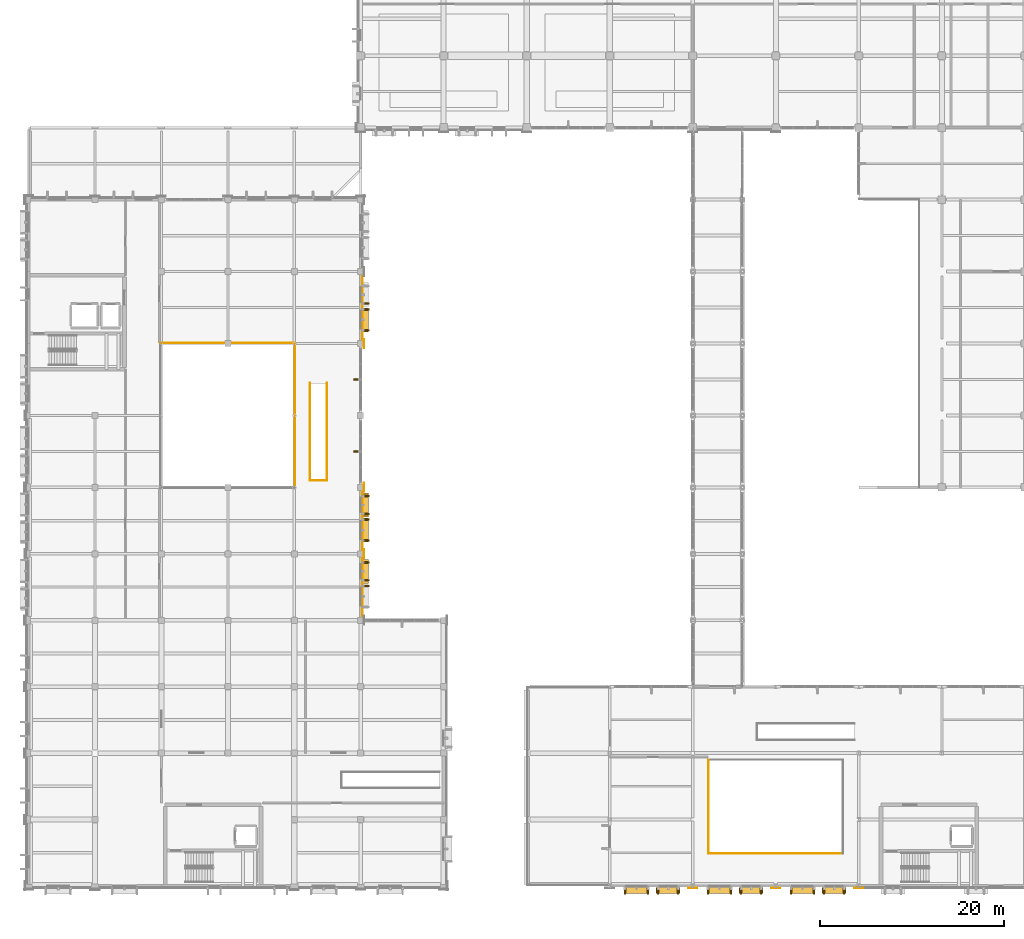
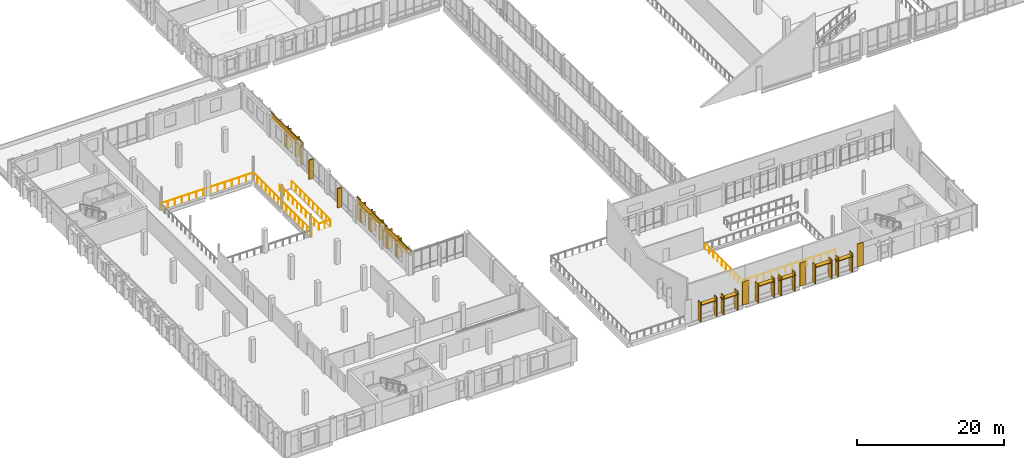
# One storey, part 74 of 85: 34 shading devices, 9 coverings, 7 railings.
"""IFC4 building model written with IfcOpenShell, lengths in metres."""

from ifc_helpers import new_model, si_unit, direction, frame, origin, origin_2d, place, context, subcontext, project, spatial, rectangle, circle, extrude, material, layer, layer_set, type_object, element, save


model = new_model("IFC4")

# Units and contexts
model_context = context("Model", 3, precision=1e-05, world=origin(), true_north=direction((0.0, 1.0)))
body_context = subcontext(model_context, "Body", "Model", "MODEL_VIEW")
ifc_project = project(units=[si_unit("LENGTHUNIT", "METRE"), si_unit("AREAUNIT", "SQUARE_METRE"), si_unit("VOLUMEUNIT", "CUBIC_METRE"), si_unit("PLANEANGLEUNIT", "RADIAN"), si_unit("MASSUNIT", "GRAM", prefix="KILO")], contexts=[model_context])

# Site, building, storey
site_placement = place(None, origin())
site = spatial("IfcSite", under=ifc_project, at=site_placement, CompositionType="ELEMENT")
building_placement = place(site_placement, origin())
building = spatial("IfcBuilding", under=site, at=building_placement, Name="Vervanel Yard Central Library", CompositionType="ELEMENT")
storey_placement = place(building_placement, frame((0.0, 0.0, 5.10009765625)))
storey = spatial("IfcBuildingStorey", under=building, at=storey_placement, Name="L01", CompositionType="ELEMENT", Elevation=5.10009765625)

# Coverings
ifc_material_1 = material(Name="Precast concrete C45/55", Category="concrete")
ifc_layer = layer(ifc_material_1, 0.0849609375, Category="concrete")
ifc_layer_set = layer_set([ifc_layer], Name="Precast concrete C45/55")
covering_type = type_object("IfcCoveringType", Name="Bush-Hammered Precast Architectural Cladding Panel", PredefinedType="CLADDING", material=ifc_layer_set)
covering_1_placement = place(storey_placement, frame((36.18994140625, 32.39990234375, 2.93017578125), z_axis=(0.0, 0.0, 1.0), x_axis=(0.0, 1.0, 0.0)))
element("IfcCovering", 1, at=covering_1_placement, inside=storey, type_object=covering_type, Name="L01 Precast Concrete Spandrel Cornice EWALL-L01-0104", PredefinedType="CLADDING", context=body_context, shape_type="SweptSolid", body=[
    extrude(rectangle(XDim=7.64990234375, YDim=0.0849609375, at=origin_2d()), origin(), (0.0, 0.0, 1.0), 0.929931640625),
])
covering_2_placement = place(storey_placement, frame((36.367431640625, 36.0, 0.0), z_axis=(0.0, 0.0, 1.0), x_axis=(0.0, 1.0, 0.0)))
element("IfcCovering", 2, at=covering_2_placement, inside=storey, type_object=covering_type, Name="L01 Precast Concrete Pier Pilaster EWALL-L01-0104-B", PredefinedType="CLADDING", context=body_context, shape_type="SweptSolid", body=[
    extrude(rectangle(XDim=0.97998046875, YDim=0.0849609375, at=origin_2d()), origin(), (0.0, 0.0, 1.0), 3.860107421875),
])
covering_3_placement = place(storey_placement, frame((36.18994140625, 39.60009765625, 2.93017578125), z_axis=(0.0, 0.0, 1.0), x_axis=(0.0, 1.0, 0.0)))
element("IfcCovering", 3, at=covering_3_placement, inside=storey, type_object=covering_type, Name="L01 Precast Concrete Spandrel Cornice EWALL-L01-0105", PredefinedType="CLADDING", context=body_context, shape_type="SweptSolid", body=[
    extrude(rectangle(XDim=7.64990234375, YDim=0.0849609375, at=origin_2d()), origin(), (0.0, 0.0, 1.0), 0.929931640625),
])
covering_4_placement = place(storey_placement, frame((36.367431640625, 43.199951171875, 0.0), z_axis=(0.0, 0.0, 1.0), x_axis=(0.0, 1.0, 0.0)))
element("IfcCovering", 4, at=covering_4_placement, inside=storey, type_object=covering_type, Name="L01 Precast Concrete Pier Pilaster EWALL-L01-0105-B", PredefinedType="CLADDING", context=body_context, shape_type="SweptSolid", body=[
    extrude(rectangle(XDim=0.97998046875, YDim=0.0849609375, at=origin_2d()), origin(), (0.0, 0.0, 1.0), 3.860107421875),
])
covering_5_placement = place(storey_placement, frame((36.18994140625, 62.699951171875, 2.93017578125), z_axis=(0.0, 0.0, 1.0), x_axis=(0.0, 1.0, 0.0)))
element("IfcCovering", 5, at=covering_5_placement, inside=storey, type_object=covering_type, Name="L01 Precast Concrete Spandrel Cornice EWALL-L01-0106", PredefinedType="CLADDING", context=body_context, shape_type="SweptSolid", body=[
    extrude(rectangle(XDim=8.25, YDim=0.0849609375, at=origin_2d()), origin(), (0.0, 0.0, 1.0), 0.929931640625),
])
for number, where, z_axis, x_axis, name in (
    (6, (36.367431640625, 58.800048828125, 0.0), (0.0, 0.0, 1.0), (0.0, 1.0, 0.0), "L01 Precast Concrete Pier Pilaster EWALL-L01-0106-A"),
    (7, (72.0, -0.226806640625, 0.0), (0.0, 0.0, 1.0), (1.0, 0.0, 0.0), "L01 Precast Concrete Pier Pilaster EWALL-L01-0200-B"),
    (8, (81.0, -0.226806640625, 0.0), (0.0, 0.0, 1.0), (1.0, 0.0, 0.0), "L01 Precast Concrete Pier Pilaster EWALL-L01-0201-B"),
    (9, (90.0, -0.226806640625, 0.0), (0.0, 0.0, 1.0), (1.0, 0.0, 0.0), "L01 Precast Concrete Pier Pilaster EWALL-L01-0202-B"),
):
    element("IfcCovering", number, at=place(storey_placement, frame(where, z_axis=z_axis, x_axis=x_axis)), inside=storey, type_object=covering_type, Name=name, PredefinedType="CLADDING", context=body_context, shape_type="SweptSolid", body=[
        extrude(rectangle(XDim=0.97998046875, YDim=0.0849609375, at=origin_2d()), origin(), (0.0, 0.0, 1.0), 3.860107421875),
    ])

# Railings
ifc_material_2 = material(Name="Brushed stainless steel AISI 316", Category="steel")
railing_type = type_object("IfcRailingType", Name="Glazed Atrium & Gallery Balustrade 1120", PredefinedType="BALUSTRADE", material=ifc_material_2)
railing_1_placement = place(storey_placement, frame((30.530029296875, 43.93994140625, 0.0)))
element("IfcRailing", 10, at=railing_1_placement, inside=storey, type_object=railing_type, Name="L01 Void Guard FST-05-L00-WELLGD S", PredefinedType="BALUSTRADE", context=body_context, shape_type="SweptSolid", body=[
    extrude(circle(Radius=0.02392578125, at=origin_2d()), frame((0.0, 0.0, 1.09619140625), z_axis=(1.0, 0.0, 0.0), x_axis=(0.0, 1.0, 0.0)), (0.0, 0.0, 1.0), 1.840087890625),
    extrude(circle(Radius=0.02099609375, at=origin_2d()), origin(), (0.0, 0.0, 1.0), 1.072021484375),
    extrude(circle(Radius=0.02099609375, at=origin_2d()), frame((0.919921875, 0.0, 0.0)), (0.0, 0.0, 1.0), 1.072021484375),
    extrude(circle(Radius=0.02099609375, at=origin_2d()), frame((1.840087890625, 0.0, 0.0)), (0.0, 0.0, 1.0), 1.072021484375),
])
railing_2_placement = place(storey_placement, frame((32.3701171875, 43.93994140625, 0.0)))
element("IfcRailing", 11, at=railing_2_placement, inside=storey, type_object=railing_type, Name="L01 Void Guard FST-05-L00-WELLGD E", PredefinedType="BALUSTRADE", context=body_context, shape_type="SweptSolid", body=[
    extrude(circle(Radius=0.02392578125, at=origin_2d()), frame((0.0, 0.0, 1.09619140625), z_axis=(0.0, 1.0, 0.0), x_axis=(-1.0, 0.0, 0.0)), (0.0, 0.0, 1.0), 10.5849609375),
    extrude(circle(Radius=0.02099609375, at=origin_2d()), origin(), (0.0, 0.0, 1.0), 1.072021484375),
    extrude(circle(Radius=0.02099609375, at=origin_2d()), frame((0.0, 1.176025390625, 0.0)), (0.0, 0.0, 1.0), 1.072021484375),
    extrude(circle(Radius=0.02099609375, at=origin_2d()), frame((0.0, 2.352294921875, 0.0)), (0.0, 0.0, 1.0), 1.072021484375),
    extrude(circle(Radius=0.02099609375, at=origin_2d()), frame((0.0, 3.5283203125, 0.0)), (0.0, 0.0, 1.0), 1.072021484375),
    extrude(circle(Radius=0.02099609375, at=origin_2d()), frame((0.0, 4.704345703125, 0.0)), (0.0, 0.0, 1.0), 1.072021484375),
    extrude(circle(Radius=0.02099609375, at=origin_2d()), frame((0.0, 5.880615234375, 0.0)), (0.0, 0.0, 1.0), 1.072021484375),
    extrude(circle(Radius=0.02099609375, at=origin_2d()), frame((0.0, 7.056640625, 0.0)), (0.0, 0.0, 1.0), 1.072021484375),
    extrude(circle(Radius=0.02099609375, at=origin_2d()), frame((0.0, 8.232666015625, 0.0)), (0.0, 0.0, 1.0), 1.072021484375),
    extrude(circle(Radius=0.02099609375, at=origin_2d()), frame((0.0, 9.408935546875, 0.0)), (0.0, 0.0, 1.0), 1.072021484375),
    extrude(circle(Radius=0.02099609375, at=origin_2d()), frame((0.0, 10.5849609375, 0.0)), (0.0, 0.0, 1.0), 1.072021484375),
])
railing_3_placement = place(storey_placement, frame((30.530029296875, 54.52490234375, 0.0)))
element("IfcRailing", 12, at=railing_3_placement, inside=storey, type_object=railing_type, Name="L01 Void Guard FST-05-L00-WELLGD W", PredefinedType="BALUSTRADE", context=body_context, shape_type="SweptSolid", body=[
    extrude(circle(Radius=0.02392578125, at=origin_2d()), frame((0.0, 0.0, 1.09619140625), z_axis=(0.0, -1.0, 0.0), x_axis=(1.0, 0.0, 0.0)), (0.0, 0.0, 1.0), 10.5849609375),
    extrude(circle(Radius=0.02099609375, at=origin_2d()), origin(), (0.0, 0.0, 1.0), 1.072021484375),
    extrude(circle(Radius=0.02099609375, at=origin_2d()), frame((0.0, -1.176025390625, 0.0)), (0.0, 0.0, 1.0), 1.072021484375),
    extrude(circle(Radius=0.02099609375, at=origin_2d()), frame((0.0, -2.352294921875, 0.0)), (0.0, 0.0, 1.0), 1.072021484375),
    extrude(circle(Radius=0.02099609375, at=origin_2d()), frame((0.0, -3.5283203125, 0.0)), (0.0, 0.0, 1.0), 1.072021484375),
    extrude(circle(Radius=0.02099609375, at=origin_2d()), frame((0.0, -4.704345703125, 0.0)), (0.0, 0.0, 1.0), 1.072021484375),
    extrude(circle(Radius=0.02099609375, at=origin_2d()), frame((0.0, -5.880615234375, 0.0)), (0.0, 0.0, 1.0), 1.072021484375),
    extrude(circle(Radius=0.02099609375, at=origin_2d()), frame((0.0, -7.056640625, 0.0)), (0.0, 0.0, 1.0), 1.072021484375),
    extrude(circle(Radius=0.02099609375, at=origin_2d()), frame((0.0, -8.232666015625, 0.0)), (0.0, 0.0, 1.0), 1.072021484375),
    extrude(circle(Radius=0.02099609375, at=origin_2d()), frame((0.0, -9.408935546875, 0.0)), (0.0, 0.0, 1.0), 1.072021484375),
    extrude(circle(Radius=0.02099609375, at=origin_2d()), frame((0.0, -10.5849609375, 0.0)), (0.0, 0.0, 1.0), 1.072021484375),
])
railing_4_placement = place(storey_placement, frame((28.8798828125, 43.1201171875, 0.0)))
element("IfcRailing", 13, at=railing_4_placement, inside=storey, type_object=railing_type, Name="L01 Void Guard ATRIUM-GD-L01 E", PredefinedType="BALUSTRADE", context=body_context, shape_type="SweptSolid", body=[
    extrude(circle(Radius=0.02392578125, at=origin_2d()), frame((0.0, 0.0, 1.09619140625), z_axis=(0.0, 1.0, 0.0), x_axis=(-1.0, 0.0, 0.0)), (0.0, 0.0, 1.0), 15.759765625),
    extrude(circle(Radius=0.02099609375, at=origin_2d()), origin(), (0.0, 0.0, 1.0), 1.072021484375),
    extrude(circle(Radius=0.02099609375, at=origin_2d()), frame((0.0, 1.125732421875, 0.0)), (0.0, 0.0, 1.0), 1.072021484375),
    extrude(circle(Radius=0.02099609375, at=origin_2d()), frame((0.0, 2.25146484375, 0.0)), (0.0, 0.0, 1.0), 1.072021484375),
    extrude(circle(Radius=0.02099609375, at=origin_2d()), frame((0.0, 3.377197265625, 0.0)), (0.0, 0.0, 1.0), 1.072021484375),
    extrude(circle(Radius=0.02099609375, at=origin_2d()), frame((0.0, 4.502685546875, 0.0)), (0.0, 0.0, 1.0), 1.072021484375),
    extrude(circle(Radius=0.02099609375, at=origin_2d()), frame((0.0, 5.62841796875, 0.0)), (0.0, 0.0, 1.0), 1.072021484375),
    extrude(circle(Radius=0.02099609375, at=origin_2d()), frame((0.0, 6.754150390625, 0.0)), (0.0, 0.0, 1.0), 1.072021484375),
    extrude(circle(Radius=0.02099609375, at=origin_2d()), frame((0.0, 7.8798828125, 0.0)), (0.0, 0.0, 1.0), 1.072021484375),
    extrude(circle(Radius=0.02099609375, at=origin_2d()), frame((0.0, 9.005615234375, 0.0)), (0.0, 0.0, 1.0), 1.072021484375),
    extrude(circle(Radius=0.02099609375, at=origin_2d()), frame((0.0, 10.13134765625, 0.0)), (0.0, 0.0, 1.0), 1.072021484375),
    extrude(circle(Radius=0.02099609375, at=origin_2d()), frame((0.0, 11.257080078125, 0.0)), (0.0, 0.0, 1.0), 1.072021484375),
    extrude(circle(Radius=0.02099609375, at=origin_2d()), frame((0.0, 12.382568359375, 0.0)), (0.0, 0.0, 1.0), 1.072021484375),
    extrude(circle(Radius=0.02099609375, at=origin_2d()), frame((0.0, 13.50830078125, 0.0)), (0.0, 0.0, 1.0), 1.072021484375),
    extrude(circle(Radius=0.02099609375, at=origin_2d()), frame((0.0, 14.634033203125, 0.0)), (0.0, 0.0, 1.0), 1.072021484375),
    extrude(circle(Radius=0.02099609375, at=origin_2d()), frame((0.0, 15.759765625, 0.0)), (0.0, 0.0, 1.0), 1.072021484375),
])
railing_5_placement = place(storey_placement, frame((28.8798828125, 58.8798828125, 0.0)))
element("IfcRailing", 14, at=railing_5_placement, inside=storey, type_object=railing_type, Name="L01 Void Guard ATRIUM-GD-L01 N", PredefinedType="BALUSTRADE", context=body_context, shape_type="SweptSolid", body=[
    extrude(circle(Radius=0.02392578125, at=origin_2d()), frame((0.0, 0.0, 1.09619140625), z_axis=(-1.0, 0.0, 0.0), x_axis=(0.0, -1.0, 0.0)), (0.0, 0.0, 1.0), 14.559814453125),
    extrude(circle(Radius=0.02099609375, at=origin_2d()), origin(), (0.0, 0.0, 1.0), 1.072021484375),
    extrude(circle(Radius=0.02099609375, at=origin_2d()), frame((-1.119873046875, 0.0, 0.0)), (0.0, 0.0, 1.0), 1.072021484375),
    extrude(circle(Radius=0.02099609375, at=origin_2d()), frame((-2.239990234375, 0.0, 0.0)), (0.0, 0.0, 1.0), 1.072021484375),
    extrude(circle(Radius=0.02099609375, at=origin_2d()), frame((-3.35986328125, 0.0, 0.0)), (0.0, 0.0, 1.0), 1.072021484375),
    extrude(circle(Radius=0.02099609375, at=origin_2d()), frame((-4.47998046875, 0.0, 0.0)), (0.0, 0.0, 1.0), 1.072021484375),
    extrude(circle(Radius=0.02099609375, at=origin_2d()), frame((-5.599853515625, 0.0, 0.0)), (0.0, 0.0, 1.0), 1.072021484375),
    extrude(circle(Radius=0.02099609375, at=origin_2d()), frame((-6.719970703125, 0.0, 0.0)), (0.0, 0.0, 1.0), 1.072021484375),
    extrude(circle(Radius=0.02099609375, at=origin_2d()), frame((-7.83984375, 0.0, 0.0)), (0.0, 0.0, 1.0), 1.072021484375),
    extrude(circle(Radius=0.02099609375, at=origin_2d()), frame((-8.9599609375, 0.0, 0.0)), (0.0, 0.0, 1.0), 1.072021484375),
    extrude(circle(Radius=0.02099609375, at=origin_2d()), frame((-10.079833984375, 0.0, 0.0)), (0.0, 0.0, 1.0), 1.072021484375),
    extrude(circle(Radius=0.02099609375, at=origin_2d()), frame((-11.199951171875, 0.0, 0.0)), (0.0, 0.0, 1.0), 1.072021484375),
    extrude(circle(Radius=0.02099609375, at=origin_2d()), frame((-12.31982421875, 0.0, 0.0)), (0.0, 0.0, 1.0), 1.072021484375),
    extrude(circle(Radius=0.02099609375, at=origin_2d()), frame((-13.43994140625, 0.0, 0.0)), (0.0, 0.0, 1.0), 1.072021484375),
    extrude(circle(Radius=0.02099609375, at=origin_2d()), frame((-14.559814453125, 0.0, 0.0)), (0.0, 0.0, 1.0), 1.072021484375),
])
railing_6_placement = place(storey_placement, frame((73.719970703125, 3.52001953125, 0.0)))
element("IfcRailing", 15, at=railing_6_placement, inside=storey, type_object=railing_type, Name="L01 Void Guard V5AMP-GD-L01 S", PredefinedType="BALUSTRADE", context=body_context, shape_type="SweptSolid", body=[
    extrude(circle(Radius=0.02392578125, at=origin_2d()), frame((0.0, 0.0, 1.09619140625), z_axis=(1.0, 0.0, 0.0), x_axis=(0.0, 1.0, 0.0)), (0.0, 0.0, 1.0), 14.56005859375),
    extrude(circle(Radius=0.02099609375, at=origin_2d()), origin(), (0.0, 0.0, 1.0), 1.072021484375),
    extrude(circle(Radius=0.02099609375, at=origin_2d()), frame((1.1201171875, 0.0, 0.0)), (0.0, 0.0, 1.0), 1.072021484375),
    extrude(circle(Radius=0.02099609375, at=origin_2d()), frame((2.239990234375, 0.0, 0.0)), (0.0, 0.0, 1.0), 1.072021484375),
    extrude(circle(Radius=0.02099609375, at=origin_2d()), frame((3.360107421875, 0.0, 0.0)), (0.0, 0.0, 1.0), 1.072021484375),
    extrude(circle(Radius=0.02099609375, at=origin_2d()), frame((4.47998046875, 0.0, 0.0)), (0.0, 0.0, 1.0), 1.072021484375),
    extrude(circle(Radius=0.02099609375, at=origin_2d()), frame((5.60009765625, 0.0, 0.0)), (0.0, 0.0, 1.0), 1.072021484375),
    extrude(circle(Radius=0.02099609375, at=origin_2d()), frame((6.719970703125, 0.0, 0.0)), (0.0, 0.0, 1.0), 1.072021484375),
    extrude(circle(Radius=0.02099609375, at=origin_2d()), frame((7.840087890625, 0.0, 0.0)), (0.0, 0.0, 1.0), 1.072021484375),
    extrude(circle(Radius=0.02099609375, at=origin_2d()), frame((8.9599609375, 0.0, 0.0)), (0.0, 0.0, 1.0), 1.072021484375),
    extrude(circle(Radius=0.02099609375, at=origin_2d()), frame((10.080078125, 0.0, 0.0)), (0.0, 0.0, 1.0), 1.072021484375),
    extrude(circle(Radius=0.02099609375, at=origin_2d()), frame((11.199951171875, 0.0, 0.0)), (0.0, 0.0, 1.0), 1.072021484375),
    extrude(circle(Radius=0.02099609375, at=origin_2d()), frame((12.320068359375, 0.0, 0.0)), (0.0, 0.0, 1.0), 1.072021484375),
    extrude(circle(Radius=0.02099609375, at=origin_2d()), frame((13.43994140625, 0.0, 0.0)), (0.0, 0.0, 1.0), 1.072021484375),
    extrude(circle(Radius=0.02099609375, at=origin_2d()), frame((14.56005859375, 0.0, 0.0)), (0.0, 0.0, 1.0), 1.072021484375),
])
railing_7_placement = place(storey_placement, frame((73.719970703125, 13.679931640625, 0.0)))
element("IfcRailing", 16, at=railing_7_placement, inside=storey, type_object=railing_type, Name="L01 Void Guard V5AMP-GD-L01 W", PredefinedType="BALUSTRADE", context=body_context, shape_type="SweptSolid", body=[
    extrude(circle(Radius=0.02392578125, at=origin_2d()), frame((0.0, 0.0, 1.09619140625), z_axis=(0.0, -1.0, 0.0), x_axis=(1.0, 0.0, 0.0)), (0.0, 0.0, 1.0), 10.159912109375),
    extrude(circle(Radius=0.02099609375, at=origin_2d()), origin(), (0.0, 0.0, 1.0), 1.072021484375),
    extrude(circle(Radius=0.02099609375, at=origin_2d()), frame((0.0, -1.12890625, 0.0)), (0.0, 0.0, 1.0), 1.072021484375),
    extrude(circle(Radius=0.02099609375, at=origin_2d()), frame((0.0, -2.2578125, 0.0)), (0.0, 0.0, 1.0), 1.072021484375),
    extrude(circle(Radius=0.02099609375, at=origin_2d()), frame((0.0, -3.38671875, 0.0)), (0.0, 0.0, 1.0), 1.072021484375),
    extrude(circle(Radius=0.02099609375, at=origin_2d()), frame((0.0, -4.515625, 0.0)), (0.0, 0.0, 1.0), 1.072021484375),
    extrude(circle(Radius=0.02099609375, at=origin_2d()), frame((0.0, -5.644287109375, 0.0)), (0.0, 0.0, 1.0), 1.072021484375),
    extrude(circle(Radius=0.02099609375, at=origin_2d()), frame((0.0, -6.773193359375, 0.0)), (0.0, 0.0, 1.0), 1.072021484375),
    extrude(circle(Radius=0.02099609375, at=origin_2d()), frame((0.0, -7.902099609375, 0.0)), (0.0, 0.0, 1.0), 1.072021484375),
    extrude(circle(Radius=0.02099609375, at=origin_2d()), frame((0.0, -9.031005859375, 0.0)), (0.0, 0.0, 1.0), 1.072021484375),
    extrude(circle(Radius=0.02099609375, at=origin_2d()), frame((0.0, -10.159912109375, 0.0)), (0.0, 0.0, 1.0), 1.072021484375),
])

# Shading devices
shading_device_type_1 = type_object("IfcShadingDeviceType", Name="Horizontal Precast Brise-Soleil Sunhood 2600x680x140", PredefinedType="JALOUSIE", material=ifc_material_1)
for number, where, z_axis, x_axis, name in (
    (17, (36.52001953125, 34.10009765625, 2.93017578125), (0.0, 0.0, 1.0), (0.0, 1.0, 0.0), "L01 Precast Horizontal Sunhood 47"),
    (18, (36.52001953125, 38.574951171875, 2.97998046875), (0.0, 0.0, 1.0), (0.0, 1.0, 0.0), "L01 Precast Horizontal Sunhood 48"),
    (19, (36.52001953125, 41.300048828125, 2.93017578125), (0.0, 0.0, 1.0), (0.0, 1.0, 0.0), "L01 Precast Horizontal Sunhood 49"),
    (20, (36.52001953125, 61.375, 2.97998046875), (0.0, 0.0, 1.0), (0.0, 1.0, 0.0), "L01 Precast Horizontal Sunhood 50"),
    (21, (65.89990234375, -0.5, 2.6298828125), (0.0, 0.0, 1.0), (1.0, 0.0, 0.0), "L01 Precast Horizontal Sunhood 111"),
    (22, (69.324951171875, -0.5, 2.43017578125), (0.0, 0.0, 1.0), (1.0, 0.0, 0.0), "L01 Precast Horizontal Sunhood 112"),
    (23, (74.89990234375, -0.5, 2.6298828125), (0.0, 0.0, 1.0), (1.0, 0.0, 0.0), "L01 Precast Horizontal Sunhood 113"),
    (24, (78.324951171875, -0.5, 2.43017578125), (0.0, 0.0, 1.0), (1.0, 0.0, 0.0), "L01 Precast Horizontal Sunhood 114"),
    (25, (83.89990234375, -0.5, 2.6298828125), (0.0, 0.0, 1.0), (1.0, 0.0, 0.0), "L01 Precast Horizontal Sunhood 115"),
    (26, (87.324951171875, -0.5, 2.43017578125), (0.0, 0.0, 1.0), (1.0, 0.0, 0.0), "L01 Precast Horizontal Sunhood 116"),
):
    element("IfcShadingDevice", number, at=place(storey_placement, frame(where, z_axis=z_axis, x_axis=x_axis)), inside=storey, type_object=shading_device_type_1, Name=name, PredefinedType="JALOUSIE", context=body_context, shape_type="SweptSolid", body=[
        extrude(rectangle(XDim=2.60009765625, YDim=0.679931640625, at=origin_2d()), origin(), (0.0, 0.0, 1.0), 0.139892578125),
    ])
shading_device_type_2 = type_object("IfcShadingDeviceType", Name="Vertical Precast Solar Fin 160x720x3200", PredefinedType="JALOUSIE", material=ifc_material_1)
for number, where, z_axis, x_axis, name in (
    (27, (36.550048828125, 32.510009765625, 0.2998046875), (0.0, 0.0, 1.0), (0.0, 1.0, 0.0), "L01 Precast Solar Fin 282"),
    (28, (36.550048828125, 33.139892578125, 0.27490234375), (0.0, 0.0, 1.0), (0.0, 1.0, 0.0), "L01 Precast Solar Fin 283"),
    (29, (36.550048828125, 35.06005859375, 0.27490234375), (0.0, 0.0, 1.0), (0.0, 1.0, 0.0), "L01 Precast Solar Fin 284"),
    (30, (36.550048828125, 37.43994140625, 0.2998046875), (0.0, 0.0, 1.0), (0.0, 1.0, 0.0), "L01 Precast Solar Fin 285"),
    (31, (36.550048828125, 39.7099609375, 0.2998046875), (0.0, 0.0, 1.0), (0.0, 1.0, 0.0), "L01 Precast Solar Fin 286"),
    (32, (36.550048828125, 40.340087890625, 0.27490234375), (0.0, 0.0, 1.0), (0.0, 1.0, 0.0), "L01 Precast Solar Fin 287"),
    (33, (36.550048828125, 42.260009765625, 0.27490234375), (0.0, 0.0, 1.0), (0.0, 1.0, 0.0), "L01 Precast Solar Fin 288"),
    (34, (35.590087890625, 47.10009765625, 0.1650390625), (0.0, 0.0, 1.0), (0.0, 1.0, 0.0), "L01 Precast Solar Fin 289"),
    (35, (35.590087890625, 54.89990234375, 0.1650390625), (0.0, 0.0, 1.0), (0.0, 1.0, 0.0), "L01 Precast Solar Fin 290"),
    (36, (36.550048828125, 60.239990234375, 0.2998046875), (0.0, 0.0, 1.0), (0.0, 1.0, 0.0), "L01 Precast Solar Fin 291"),
    (37, (36.550048828125, 62.510009765625, 0.2998046875), (0.0, 0.0, 1.0), (0.0, 1.0, 0.0), "L01 Precast Solar Fin 292"),
    (38, (36.550048828125, 63.139892578125, 0.27490234375), (0.0, 0.0, 1.0), (0.0, 1.0, 0.0), "L01 Precast Solar Fin 293"),
    (39, (64.639892578125, -0.530029296875, 0.02490234375), (0.0, 0.0, 1.0), (1.0, 0.0, 0.0), "L01 Precast Solar Fin 585"),
    (40, (67.159912109375, -0.530029296875, 0.02490234375), (0.0, 0.0, 1.0), (1.0, 0.0, 0.0), "L01 Precast Solar Fin 586"),
    (41, (68.239990234375, -0.530029296875, -0.0751953125), (0.0, 0.0, 1.0), (1.0, 0.0, 0.0), "L01 Precast Solar Fin 587"),
    (42, (70.409912109375, -0.530029296875, -0.0751953125), (0.0, 0.0, 1.0), (1.0, 0.0, 0.0), "L01 Precast Solar Fin 588"),
    (43, (73.639892578125, -0.530029296875, 0.02490234375), (0.0, 0.0, 1.0), (1.0, 0.0, 0.0), "L01 Precast Solar Fin 589"),
    (44, (76.159912109375, -0.530029296875, 0.02490234375), (0.0, 0.0, 1.0), (1.0, 0.0, 0.0), "L01 Precast Solar Fin 590"),
    (45, (77.239990234375, -0.530029296875, -0.0751953125), (0.0, 0.0, 1.0), (1.0, 0.0, 0.0), "L01 Precast Solar Fin 591"),
    (46, (79.409912109375, -0.530029296875, -0.0751953125), (0.0, 0.0, 1.0), (1.0, 0.0, 0.0), "L01 Precast Solar Fin 592"),
    (47, (82.639892578125, -0.530029296875, 0.02490234375), (0.0, 0.0, 1.0), (1.0, 0.0, 0.0), "L01 Precast Solar Fin 593"),
    (48, (85.159912109375, -0.530029296875, 0.02490234375), (0.0, 0.0, 1.0), (1.0, 0.0, 0.0), "L01 Precast Solar Fin 594"),
    (49, (86.239990234375, -0.530029296875, -0.0751953125), (0.0, 0.0, 1.0), (1.0, 0.0, 0.0), "L01 Precast Solar Fin 595"),
    (50, (88.409912109375, -0.530029296875, -0.0751953125), (0.0, 0.0, 1.0), (1.0, 0.0, 0.0), "L01 Precast Solar Fin 596"),
):
    element("IfcShadingDevice", number, at=place(storey_placement, frame(where, z_axis=z_axis, x_axis=x_axis)), inside=storey, type_object=shading_device_type_2, Name=name, PredefinedType="JALOUSIE", context=body_context, shape_type="SweptSolid", body=[
        extrude(rectangle(XDim=0.159912109375, YDim=0.719970703125, at=origin_2d()), origin(), (0.0, 0.0, 1.0), 3.199951171875),
    ])

save(model, "model.ifc")
